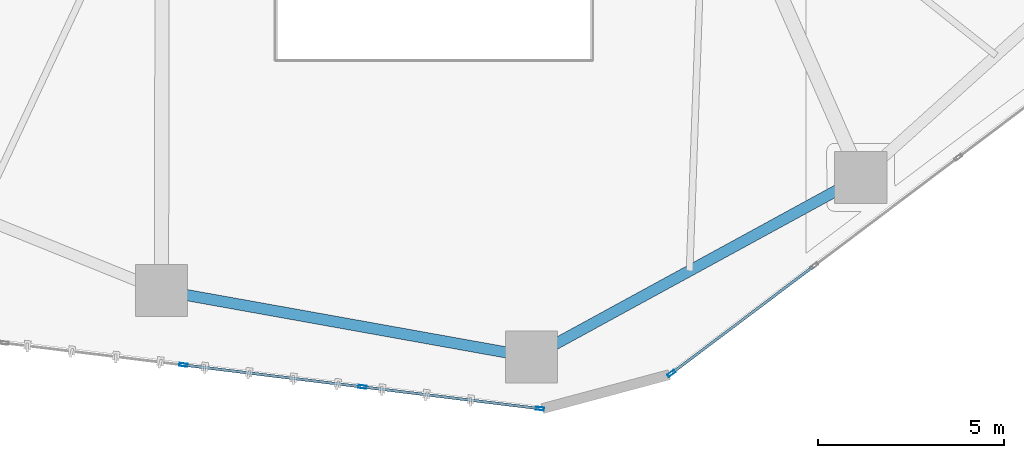
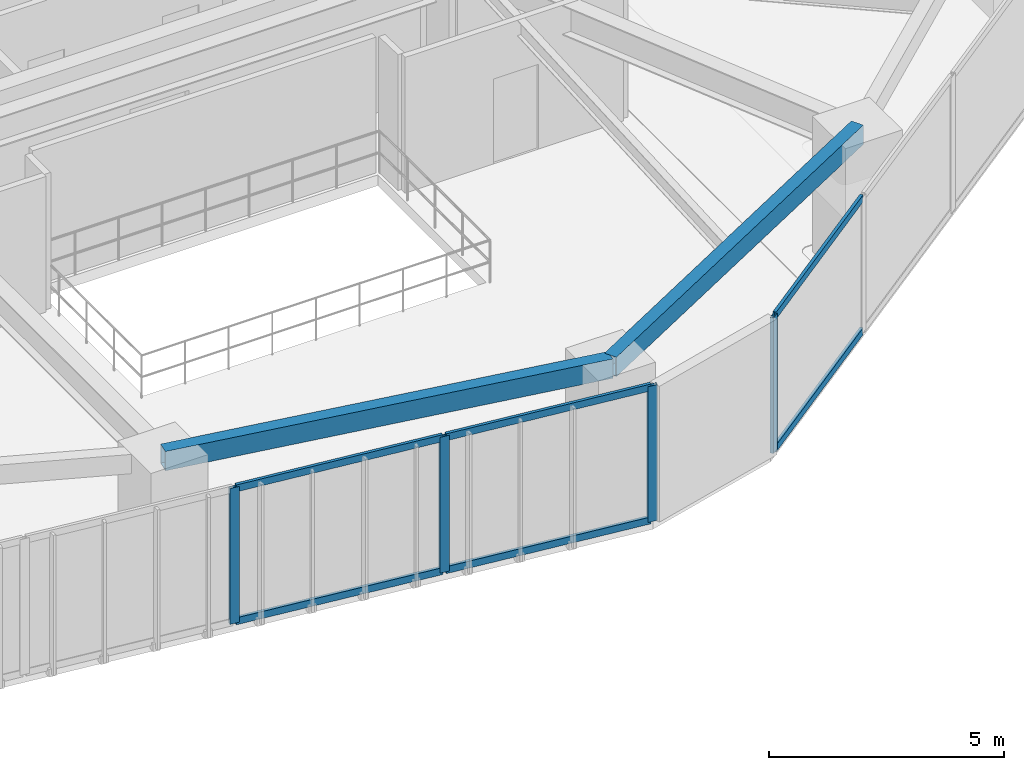
# One storey, part 4 of 23: 10 members, 2 beams, 2 elements without a shape of their own.
"""IFC4 building model written with IfcOpenShell, lengths in metres."""

from ifc_helpers import new_model, si_unit, direction, frame, origin, origin_2d, place, context, subcontext, project, spatial, hollow_rectangle, extrude, source, transform, mapped, material, layer, layer_set, material_profile, profile_set, type_object, type_shapes, element, aggregate, save


model = new_model("IFC4")

# Units and contexts
model_context = context("Model", 3, precision=1e-05, world=origin(), true_north=direction((0.0, 1.0)))
body_context = subcontext(model_context, "Body", "Model", "MODEL_VIEW")
ifc_project = project(units=[si_unit("LENGTHUNIT", "METRE"), si_unit("AREAUNIT", "SQUARE_METRE"), si_unit("VOLUMEUNIT", "CUBIC_METRE"), si_unit("PLANEANGLEUNIT", "RADIAN"), si_unit("MASSUNIT", "GRAM", prefix="KILO")], contexts=[model_context])

# Site, building, storey
site_placement = place(None, origin())
site = spatial("IfcSite", under=ifc_project, at=site_placement, CompositionType="ELEMENT")
building_placement = place(site_placement, origin())
building = spatial("IfcBuilding", under=site, at=building_placement, Name="Talar Marvaseh", CompositionType="ELEMENT")
storey_placement = place(building_placement, frame((0.0, 0.0, 69.60009765625)))
storey = spatial("IfcBuildingStorey", under=building, at=storey_placement, Name="L17", CompositionType="ELEMENT", Elevation=69.60009765625)

# Beams
ifc_material_1 = material(Name="Steel S355", Category="steel")
ifc_material_profile_1 = material_profile(ifc_material_1, hollow_rectangle(XDim=0.300048828125, YDim=0.5, WallThickness=0.02001953125, at=origin_2d()), Name="RHS500x300x20")
ifc_profile_set_1 = profile_set([ifc_material_profile_1], Name="Steel S355")
beam_type = type_object("IfcBeamType", Name="Zone 1 Perimeter Spandrel Beam RHS500x300x20", PredefinedType="SPANDREL", material=ifc_profile_set_1)
beam_1_placement = place(storey_placement, frame((37.468017578125, 16.02099609375, 3.27001953125), z_axis=(-0.877792749602, -0.47904059196, 0.0), x_axis=(0.47904059196, -0.877792749602, 0.0)))
element("IfcBeam", 1, at=beam_1_placement, inside=storey, type_object=beam_type, Name="L17 Zone 1 Perimeter Spandrel Beam RHS500x300x20", PredefinedType="SPANDREL", context=body_context, shape_type="SweptSolid", body=[
    extrude(hollow_rectangle(XDim=0.300048828125, YDim=0.5, WallThickness=0.02001953125, at=origin_2d()), origin(), (0.0, 0.0, 1.0), 10.07421875),
])
beam_2_placement = place(storey_placement, frame((28.625, 11.195068359375, 3.27001953125), z_axis=(-0.984279934962, 0.176615428632, 0.0), x_axis=(-0.176615428632, -0.984279934962, 0.0)))
element("IfcBeam", 2, at=beam_2_placement, inside=storey, type_object=beam_type, Name="L17 Zone 1 Perimeter Spandrel Beam RHS500x300x20", PredefinedType="SPANDREL", context=body_context, shape_type="SweptSolid", body=[
    extrude(hollow_rectangle(XDim=0.300048828125, YDim=0.5, WallThickness=0.02001953125, at=origin_2d()), origin(), (0.0, 0.0, 1.0), 10.1005859375),
])

# Curtain wall, member
ifc_material_2 = material(Name="Architectural Aluminium", Category="aluminium")
ifc_layer = layer(ifc_material_2, 0.219970703125)
ifc_layer_set = layer_set([ifc_layer], Name="Architectural Aluminium")
curtain_wall_type = type_object("IfcCurtainWallType", Name="Unitised Low-E Museum Curtain Wall Z1", PredefinedType="NOTDEFINED", material=ifc_layer_set)
curtain_wall_1_placement = place(storey_placement, origin())
curtain_wall_1 = element("IfcCurtainWall", 3, at=curtain_wall_1_placement, inside=storey, type_object=curtain_wall_type, Name="L17 Unitised Low-E Museum Curtain Wall Z1", PredefinedType="NOTDEFINED")
ifc_material_profile_2 = material_profile(ifc_material_2, hollow_rectangle(XDim=0.080078125, YDim=0.219970703125, WallThickness=0.0048828125, at=origin_2d()), Name="RHS220x80x5")
ifc_profile_set_2 = profile_set([ifc_material_profile_2], Name="Architectural Aluminium")
member_type_1 = type_object("IfcMemberType", Name="Unitised Curtain Wall Heavy Mullion RHS220x80x5", PredefinedType="MULLION", material=ifc_profile_set_2)
shared_shape_1 = source(origin(), body_context, "Body", "SweptSolid", [
    extrude(hollow_rectangle(XDim=0.080078125, YDim=0.219970703125, WallThickness=0.0048828125, at=origin_2d()), origin(), (0.0, 0.0, 1.0), 3.52001953125),
])
type_shapes(member_type_1, [shared_shape_1])
member_1_placement = place(storey_placement, frame((32.379150390625, 10.753662109375, 0.0), z_axis=(0.0, 0.0, 1.0), x_axis=(0.601690673103, -0.798729199354, 0.0)))
member_1 = element("IfcMember", 4, at=member_1_placement, type_object=member_type_1, Name="CW-Z1 mullion 6", PredefinedType="MULLION", context=body_context, shape_type="MappedRepresentation", body=[
    mapped(shared_shape_1, transform((0.0, 0.0, 0.0), x_axis=(1.0, 0.0, 0.0), y_axis=(0.0, 1.0, 0.0), z_axis=(0.0, 0.0, 1.0), scale=1.0)),
])

# Curtain wall, members
curtain_wall_2_placement = place(storey_placement, origin())
curtain_wall_2 = element("IfcCurtainWall", 5, at=curtain_wall_2_placement, inside=storey, type_object=curtain_wall_type, Name="L17 Unitised Low-E Museum Curtain Wall Z1", PredefinedType="NOTDEFINED")
member_2_placement = place(storey_placement, frame((28.8486328125, 9.807861328125, 0.0), z_axis=(0.0, 0.0, 1.0), x_axis=(-0.121712736954, -0.992565367955, 0.0)))
member_2 = element("IfcMember", 6, at=member_2_placement, type_object=member_type_1, Name="CW-Z1 mullion 1", PredefinedType="MULLION", context=body_context, shape_type="MappedRepresentation", body=[
    mapped(shared_shape_1, transform((0.0, 0.0, 0.0), x_axis=(1.0, 0.0, 0.0), y_axis=(0.0, 1.0, 0.0), z_axis=(0.0, 0.0, 1.0), scale=1.0)),
])
member_3_placement = place(storey_placement, frame((24.0791015625, 10.392578125, 0.0), z_axis=(0.0, 0.0, 1.0), x_axis=(-0.121712736954, -0.992565367955, 0.0)))
member_3 = element("IfcMember", 7, at=member_3_placement, type_object=member_type_1, Name="CW-Z1 mullion 2", PredefinedType="MULLION", context=body_context, shape_type="MappedRepresentation", body=[
    mapped(shared_shape_1, transform((0.0, 0.0, 0.0), x_axis=(1.0, 0.0, 0.0), y_axis=(0.0, 1.0, 0.0), z_axis=(0.0, 0.0, 1.0), scale=1.0)),
])
member_4_placement = place(storey_placement, frame((19.269775390625, 10.982421875, 0.0), z_axis=(0.0, 0.0, 1.0), x_axis=(-0.121712736954, -0.992565367955, 0.0)))
member_4 = element("IfcMember", 8, at=member_4_placement, type_object=member_type_1, Name="CW-Z1 mullion 3", PredefinedType="MULLION", context=body_context, shape_type="MappedRepresentation", body=[
    mapped(shared_shape_1, transform((0.0, 0.0, 0.0), x_axis=(1.0, 0.0, 0.0), y_axis=(0.0, 1.0, 0.0), z_axis=(0.0, 0.0, 1.0), scale=1.0)),
])

# Member
ifc_material_profile_3 = material_profile(ifc_material_2, hollow_rectangle(XDim=0.074951171875, YDim=0.179931640625, WallThickness=0.0048828125, at=origin_2d()), Name="RHS180x75x5")
ifc_profile_set_3 = profile_set([ifc_material_profile_3], Name="Architectural Aluminium")
member_type_2 = type_object("IfcMemberType", Name="Unitised Curtain Wall Transom RHS180x75x5", PredefinedType="USERDEFINED", material=ifc_profile_set_3)
shared_shape_2 = source(origin(), body_context, "Body", "SweptSolid", [
    extrude(hollow_rectangle(XDim=0.074951171875, YDim=0.179931640625, WallThickness=0.0048828125, at=origin_2d()), origin(), (0.0, 0.0, 1.0), 4.725341796875),
])
member_5_placement = place(storey_placement, frame((36.185302734375, 13.62109375, 0.037353515625), z_axis=(-0.79871477024, -0.601709826911, 0.0), x_axis=(0.601709826911, -0.79871477024, 0.0)))
member_5 = element("IfcMember", 9, at=member_5_placement, type_object=member_type_2, Name="CW-Z1 transom 5.1", ObjectType="TRANSOM", PredefinedType="USERDEFINED", context=body_context, shape_type="MappedRepresentation", body=[
    mapped(shared_shape_2, transform((0.0, 0.0, 0.0), x_axis=(1.0, 0.0, 0.0), y_axis=(0.0, 1.0, 0.0), z_axis=(0.0, 0.0, 1.0), scale=1.0)),
])

member_6_placement = place(storey_placement, frame((36.185302734375, 13.62109375, 3.482421875), z_axis=(-0.79871477024, -0.601709826911, 0.0), x_axis=(0.601709826911, -0.79871477024, 0.0)))
member_6 = element("IfcMember", 10, at=member_6_placement, type_object=member_type_2, Name="CW-Z1 transom 5.2", ObjectType="TRANSOM", PredefinedType="USERDEFINED", context=body_context, shape_type="MappedRepresentation", body=[
    mapped(shared_shape_2, transform((0.0, 0.0, 0.0), x_axis=(1.0, 0.0, 0.0), y_axis=(0.0, 1.0, 0.0), z_axis=(0.0, 0.0, 1.0), scale=1.0)),
])

aggregate(curtain_wall_1, [member_1, member_5, member_6])

member_7_placement = place(storey_placement, frame((28.808837890625, 9.812744140625, 0.037353515625), z_axis=(-0.992569970102, 0.121675200645, 0.0), x_axis=(-0.121675200645, -0.992569970102, 0.0)))
member_7 = element("IfcMember", 11, at=member_7_placement, type_object=member_type_2, Name="CW-Z1 transom 1.1", ObjectType="TRANSOM", PredefinedType="USERDEFINED", context=body_context, shape_type="MappedRepresentation", body=[
    mapped(shared_shape_2, transform((0.0, 0.0, 0.0), x_axis=(1.0, 0.0, 0.0), y_axis=(0.0, 1.0, 0.0), z_axis=(0.0, 0.0, 1.0), scale=1.0)),
])

member_8_placement = place(storey_placement, frame((28.808837890625, 9.812744140625, 3.482421875), z_axis=(-0.992569970102, 0.121675200645, 0.0), x_axis=(-0.121675200645, -0.992569970102, 0.0)))
member_8 = element("IfcMember", 12, at=member_8_placement, type_object=member_type_2, Name="CW-Z1 transom 1.2", ObjectType="TRANSOM", PredefinedType="USERDEFINED", context=body_context, shape_type="MappedRepresentation", body=[
    mapped(shared_shape_2, transform((0.0, 0.0, 0.0), x_axis=(1.0, 0.0, 0.0), y_axis=(0.0, 1.0, 0.0), z_axis=(0.0, 0.0, 1.0), scale=1.0)),
])

shared_shape_3 = source(origin(), body_context, "Body", "SweptSolid", [
    extrude(hollow_rectangle(XDim=0.074951171875, YDim=0.179931640625, WallThickness=0.0048828125, at=origin_2d()), origin(), (0.0, 0.0, 1.0), 4.765380859375),
])
type_shapes(member_type_2, [shared_shape_2, shared_shape_3])
member_9_placement = place(storey_placement, frame((24.039306640625, 10.3974609375, 0.037353515625), z_axis=(-0.99256366712, 0.121726606435, 0.0), x_axis=(-0.121726606435, -0.99256366712, 0.0)))
member_9 = element("IfcMember", 13, at=member_9_placement, type_object=member_type_2, Name="CW-Z1 transom 2.1", ObjectType="TRANSOM", PredefinedType="USERDEFINED", context=body_context, shape_type="MappedRepresentation", body=[
    mapped(shared_shape_3, transform((0.0, 0.0, 0.0), x_axis=(1.0, 0.0, 0.0), y_axis=(0.0, 1.0, 0.0), z_axis=(0.0, 0.0, 1.0), scale=1.0)),
])

member_10_placement = place(storey_placement, frame((24.039306640625, 10.3974609375, 3.482421875), z_axis=(-0.99256366712, 0.121726606435, 0.0), x_axis=(-0.121726606435, -0.99256366712, 0.0)))
member_10 = element("IfcMember", 14, at=member_10_placement, type_object=member_type_2, Name="CW-Z1 transom 2.2", ObjectType="TRANSOM", PredefinedType="USERDEFINED", context=body_context, shape_type="MappedRepresentation", body=[
    mapped(shared_shape_3, transform((0.0, 0.0, 0.0), x_axis=(1.0, 0.0, 0.0), y_axis=(0.0, 1.0, 0.0), z_axis=(0.0, 0.0, 1.0), scale=1.0)),
])

aggregate(curtain_wall_2, [member_2, member_3, member_4, member_7, member_8, member_9, member_10])

save(model, "model.ifc")
